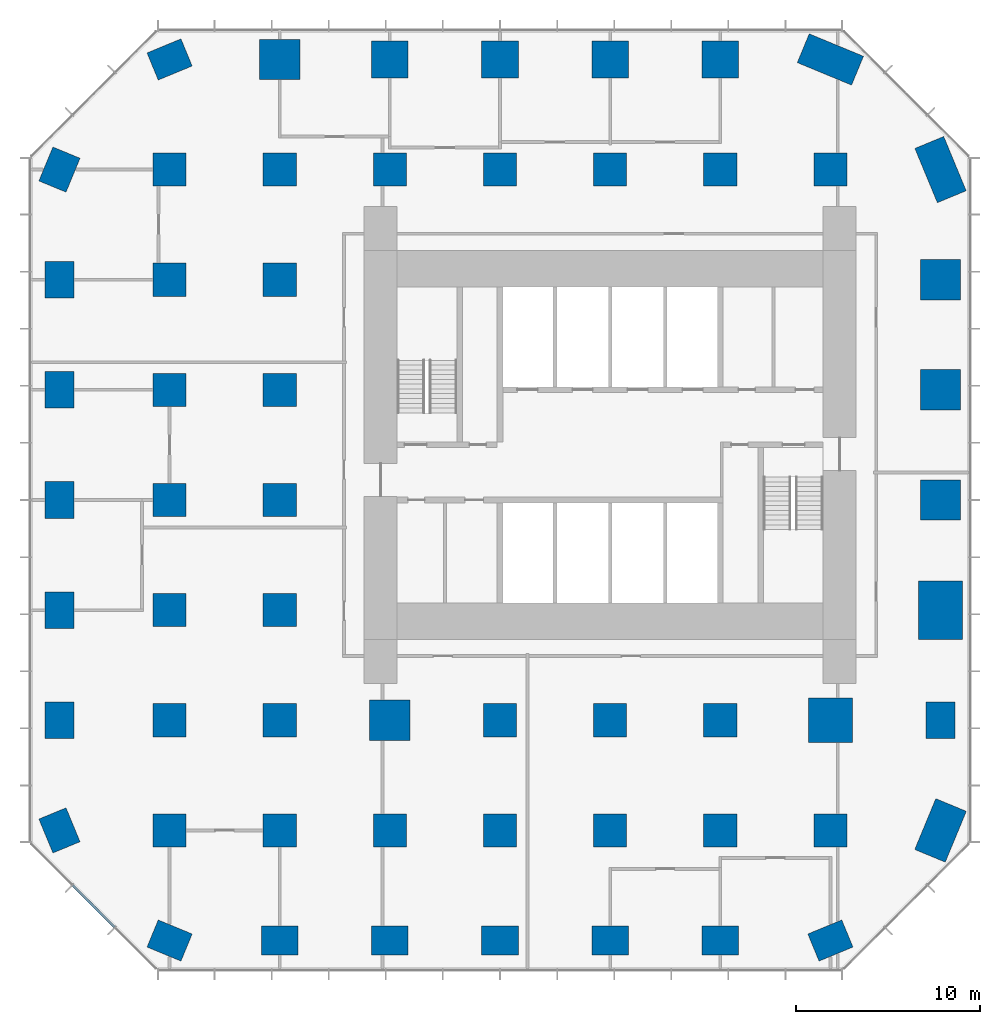
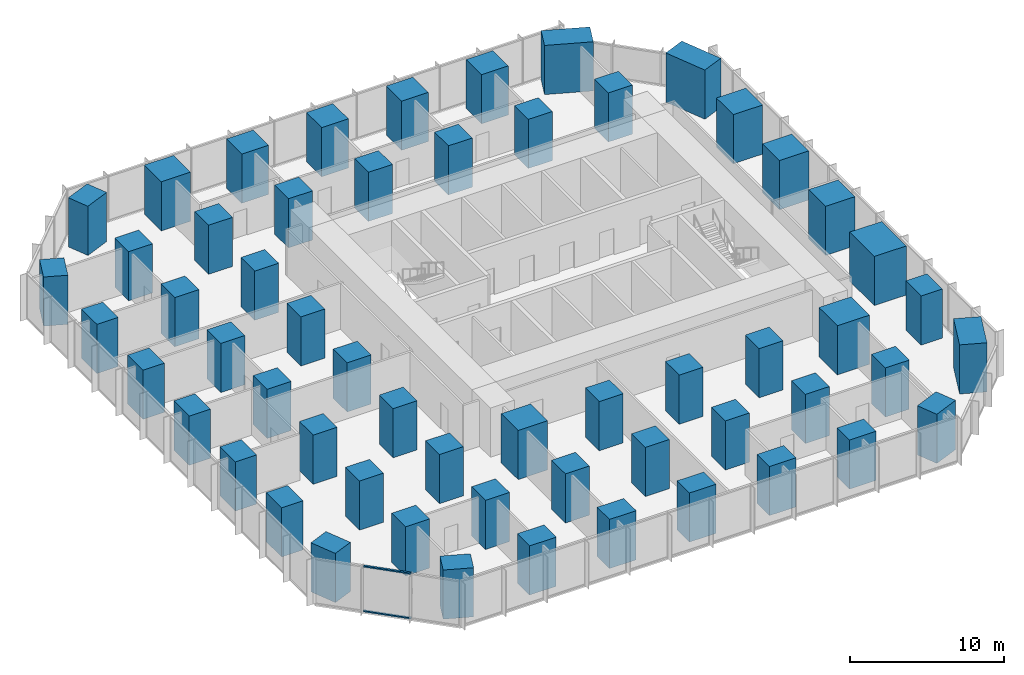
# One storey, part 1 of 12: 57 columns, 2 members, 1 element without a shape of its own.
"""IFC4 building model written with IfcOpenShell, lengths in metres."""

from ifc_helpers import new_model, si_unit, direction, frame, origin, origin_2d, place, context, subcontext, project, spatial, rectangle, extrude, material, layer, layer_set, material_profile, profile_set, type_object, element, aggregate, save


model = new_model("IFC4")

# Units and contexts
model_context = context("Model", 3, precision=1e-05, world=origin(), true_north=direction((0.0, 1.0)))
body_context = subcontext(model_context, "Body", "Model", "MODEL_VIEW")
ifc_project = project(units=[si_unit("LENGTHUNIT", "METRE"), si_unit("AREAUNIT", "SQUARE_METRE"), si_unit("VOLUMEUNIT", "CUBIC_METRE"), si_unit("PLANEANGLEUNIT", "RADIAN"), si_unit("MASSUNIT", "GRAM", prefix="KILO")], contexts=[model_context])

# Site, building, storey
site_placement = place(None, origin())
site = spatial("IfcSite", under=ifc_project, at=site_placement, CompositionType="ELEMENT")
building_placement = place(site_placement, origin())
building = spatial("IfcBuilding", under=site, at=building_placement, Name="Highveld Stack Headquarters", CompositionType="ELEMENT")
storey_placement = place(building_placement, frame((0.0, 0.0, 37.699951171875)))
storey = spatial("IfcBuildingStorey", under=building, at=storey_placement, Name="L08", CompositionType="ELEMENT", Elevation=37.699951171875)

# Columns
ifc_material_1 = material(Name="Concrete C60/75", Category="concrete")
ifc_material_profile_1 = material_profile(ifc_material_1, rectangle(XDim=1.800048828125, YDim=1.800048828125, at=origin_2d()), Name="RC 1800x1800")
ifc_profile_set_1 = profile_set([ifc_material_profile_1], Name="Concrete C60/75")
column_type_1 = type_object("IfcColumnType", Name="COLUMN RC 1800x1800 C60/75", PredefinedType="COLUMN", material=ifc_profile_set_1)
for number, where, z_axis, x_axis, name in (
    (1, (-18.0, -18.0, 0.0), (0.0, 0.0, 1.0), (1.0, 0.0, 0.0), "Column 3/B L08"),
    (2, (-18.0, -12.0, 0.0), (0.0, 0.0, 1.0), (1.0, 0.0, 0.0), "Column 3/C L08"),
    (3, (-18.0, -6.0, 0.0), (0.0, 0.0, 1.0), (1.0, 0.0, 0.0), "Column 3/D L08"),
    (4, (-18.0, 0.0, 0.0), (0.0, 0.0, 1.0), (1.0, 0.0, 0.0), "Column 3/E L08"),
    (5, (-18.0, 6.0, 0.0), (0.0, 0.0, 1.0), (1.0, 0.0, 0.0), "Column 3/F L08"),
    (6, (-18.0, 12.0, 0.0), (0.0, 0.0, 1.0), (1.0, 0.0, 0.0), "Column 3/G L08"),
    (7, (-18.0, 18.0, 0.0), (0.0, 0.0, 1.0), (1.0, 0.0, 0.0), "Column 3/H L08"),
    (8, (-12.0, -18.0, 0.0), (0.0, 0.0, 1.0), (1.0, 0.0, 0.0), "Column 4/B L08"),
    (9, (-12.0, -12.0, 0.0), (0.0, 0.0, 1.0), (1.0, 0.0, 0.0), "Column 4/C L08"),
    (10, (-12.0, -6.0, 0.0), (0.0, 0.0, 1.0), (1.0, 0.0, 0.0), "Column 4/D L08"),
    (11, (-12.0, 0.0, 0.0), (0.0, 0.0, 1.0), (1.0, 0.0, 0.0), "Column 4/E L08"),
    (12, (-12.0, 6.0, 0.0), (0.0, 0.0, 1.0), (1.0, 0.0, 0.0), "Column 4/F L08"),
    (13, (-12.0, 12.0, 0.0), (0.0, 0.0, 1.0), (1.0, 0.0, 0.0), "Column 4/G L08"),
    (14, (-12.0, 18.0, 0.0), (0.0, 0.0, 1.0), (1.0, 0.0, 0.0), "Column 4/H L08"),
    (15, (-6.0, -18.0, 0.0), (0.0, 0.0, 1.0), (1.0, 0.0, 0.0), "Column 5/B L08"),
    (16, (-6.0, 18.0, 0.0), (0.0, 0.0, 1.0), (1.0, 0.0, 0.0), "Column 5/H L08"),
    (17, (0.0, -18.0, 0.0), (0.0, 0.0, 1.0), (1.0, 0.0, 0.0), "Column 6/B L08"),
    (18, (0.0, -12.0, 0.0), (0.0, 0.0, 1.0), (1.0, 0.0, 0.0), "Column 6/C L08"),
    (19, (0.0, 18.0, 0.0), (0.0, 0.0, 1.0), (1.0, 0.0, 0.0), "Column 6/H L08"),
    (20, (6.0, -18.0, 0.0), (0.0, 0.0, 1.0), (1.0, 0.0, 0.0), "Column 7/B L08"),
    (21, (6.0, -12.0, 0.0), (0.0, 0.0, 1.0), (1.0, 0.0, 0.0), "Column 7/C L08"),
    (22, (6.0, 18.0, 0.0), (0.0, 0.0, 1.0), (1.0, 0.0, 0.0), "Column 7/H L08"),
    (23, (12.0, -18.0, 0.0), (0.0, 0.0, 1.0), (1.0, 0.0, 0.0), "Column 8/B L08"),
    (24, (12.0, -12.0, 0.0), (0.0, 0.0, 1.0), (1.0, 0.0, 0.0), "Column 8/C L08"),
    (25, (12.0, 18.0, 0.0), (0.0, 0.0, 1.0), (1.0, 0.0, 0.0), "Column 8/H L08"),
    (26, (18.0, -18.0, 0.0), (0.0, 0.0, 1.0), (1.0, 0.0, 0.0), "Column 9/B L08"),
    (27, (18.0, 18.0, 0.0), (0.0, 0.0, 1.0), (1.0, 0.0, 0.0), "Column 9/H L08"),
):
    element("IfcColumn", number, at=place(storey_placement, frame(where, z_axis=z_axis, x_axis=x_axis)), inside=storey, type_object=column_type_1, Name=name, PredefinedType="COLUMN", context=body_context, shape_type="SweptSolid", body=[
        extrude(rectangle(XDim=1.800048828125, YDim=1.800048828125, at=origin_2d()), origin(), (0.0, 0.0, 1.0), 3.900146484375),
    ])
ifc_material_2 = material(Name="Concrete C60/75", Category="concrete")
ifc_material_profile_2 = material_profile(ifc_material_2, rectangle(XDim=2.0, YDim=1.60009765625, at=origin_2d()), Name="RC 2000x1600")
ifc_profile_set_2 = profile_set([ifc_material_profile_2], Name="Concrete C60/75")
column_type_2 = type_object("IfcColumnType", Name="COLUMN RC 2000x1600 C60/75", PredefinedType="COLUMN", material=ifc_profile_set_2)
for number, where, z_axis, x_axis, name in (
    (28, (-24.0, -18.0, 0.0), (0.0, 0.0, 1.0), (-0.382683432365, 0.923879532511, 0.0), "Column 2/B L08"),
    (29, (-24.0, -12.0, 0.0), (0.0, 0.0, 1.0), (0.0, 1.0, 0.0), "Column 2/C L08"),
    (30, (-24.0, -6.0, 0.0), (0.0, 0.0, 1.0), (0.0, 1.0, 0.0), "Column 2/D L08"),
    (31, (-24.0, 0.0, 0.0), (0.0, 0.0, 1.0), (0.0, 1.0, 0.0), "Column 2/E L08"),
    (32, (-24.0, 6.0, 0.0), (0.0, 0.0, 1.0), (0.0, 1.0, 0.0), "Column 2/F L08"),
    (33, (-24.0, 12.0, 0.0), (0.0, 0.0, 1.0), (0.0, 1.0, 0.0), "Column 2/G L08"),
    (34, (-24.0, 18.0, 0.0), (0.0, 0.0, 1.0), (0.382683432365, 0.923879532511, 0.0), "Column 2/H L08"),
    (35, (-18.0, -24.0, 0.0), (0.0, 0.0, 1.0), (-0.923879532511, 0.382683432365, 0.0), "Column 3/A L08"),
    (36, (-18.0, 24.0, 0.0), (0.0, 0.0, 1.0), (0.923879532511, 0.382683432365, 0.0), "Column 3/J L08"),
    (37, (-12.0, -24.0, 0.0), (0.0, 0.0, 1.0), (1.0, 0.0, 0.0), "Column 4/A L08"),
    (38, (-6.0, -24.0, 0.0), (0.0, 0.0, 1.0), (1.0, 0.0, 0.0), "Column 5/A L08"),
    (39, (0.0, -24.0, 0.0), (0.0, 0.0, 1.0), (1.0, 0.0, 0.0), "Column 6/A L08"),
    (40, (6.0, -24.0, 0.0), (0.0, 0.0, 1.0), (1.0, 0.0, 0.0), "Column 7/A L08"),
    (41, (12.0, -24.0, 0.0), (0.0, 0.0, 1.0), (1.0, 0.0, 0.0), "Column 8/A L08"),
    (42, (18.0, -24.0, 0.0), (0.0, 0.0, 1.0), (-0.923879532511, -0.382683432365, 0.0), "Column 9/A L08"),
    (43, (24.0, -12.0, 0.0), (0.0, 0.0, 1.0), (0.0, 1.0, 0.0), "Column 10/C L08"),
):
    element("IfcColumn", number, at=place(storey_placement, frame(where, z_axis=z_axis, x_axis=x_axis)), inside=storey, type_object=column_type_2, Name=name, PredefinedType="COLUMN", context=body_context, shape_type="SweptSolid", body=[
        extrude(rectangle(XDim=2.0, YDim=1.60009765625, at=origin_2d()), origin(), (0.0, 0.0, 1.0), 3.900146484375),
    ])
ifc_material_3 = material(Name="Concrete C60/75", Category="concrete")
ifc_material_profile_3 = material_profile(ifc_material_3, rectangle(XDim=2.0, YDim=2.0, at=origin_2d()), Name="RC 2000x2000")
ifc_profile_set_3 = profile_set([ifc_material_profile_3], Name="Concrete C60/75")
column_type_3 = type_object("IfcColumnType", Name="COLUMN RC 2000x2000 C60/75", PredefinedType="COLUMN", material=ifc_profile_set_3)
for number, where, z_axis, x_axis, name in (
    (44, (-6.0, 24.0, 0.0), (0.0, 0.0, 1.0), (1.0, 0.0, 0.0), "Column 5/J L08"),
    (45, (0.0, 24.0, 0.0), (0.0, 0.0, 1.0), (1.0, 0.0, 0.0), "Column 6/J L08"),
    (46, (6.0, 24.0, 0.0), (0.0, 0.0, 1.0), (1.0, 0.0, 0.0), "Column 7/J L08"),
    (47, (12.0, 24.0, 0.0), (0.0, 0.0, 1.0), (1.0, 0.0, 0.0), "Column 8/J L08"),
):
    element("IfcColumn", number, at=place(storey_placement, frame(where, z_axis=z_axis, x_axis=x_axis)), inside=storey, type_object=column_type_3, Name=name, PredefinedType="COLUMN", context=body_context, shape_type="SweptSolid", body=[
        extrude(rectangle(XDim=2.0, YDim=2.0, at=origin_2d()), origin(), (0.0, 0.0, 1.0), 3.900146484375),
    ])
ifc_material_4 = material(Name="Concrete C60/75", Category="concrete")
ifc_material_profile_4 = material_profile(ifc_material_4, rectangle(XDim=2.199951171875, YDim=2.199951171875, at=origin_2d()), Name="RC 2200x2200")
ifc_profile_set_4 = profile_set([ifc_material_profile_4], Name="Concrete C60/75")
column_type_4 = type_object("IfcColumnType", Name="COLUMN RC 2200x2200 C60/75", PredefinedType="COLUMN", material=ifc_profile_set_4)
for number, where, z_axis, x_axis, name in (
    (48, (-12.0, 24.0, 0.0), (0.0, 0.0, 1.0), (1.0, 0.0, 0.0), "Column 4/J L08"),
    (49, (-6.0, -12.0, 0.0), (0.0, 0.0, 1.0), (1.0, 0.0, 0.0), "Column 5/C L08"),
    (50, (24.0, 0.0, 0.0), (0.0, 0.0, 1.0), (1.0, 0.0, 0.0), "Column 10/E L08"),
    (51, (24.0, 6.0, 0.0), (0.0, 0.0, 1.0), (1.0, 0.0, 0.0), "Column 10/F L08"),
    (52, (24.0, 12.0, 0.0), (0.0, 0.0, 1.0), (1.0, 0.0, 0.0), "Column 10/G L08"),
):
    element("IfcColumn", number, at=place(storey_placement, frame(where, z_axis=z_axis, x_axis=x_axis)), inside=storey, type_object=column_type_4, Name=name, PredefinedType="COLUMN", context=body_context, shape_type="SweptSolid", body=[
        extrude(rectangle(XDim=2.199951171875, YDim=2.199951171875, at=origin_2d()), origin(), (0.0, 0.0, 1.0), 3.900146484375),
    ])
ifc_material_5 = material(Name="Concrete C60/75", Category="concrete")
ifc_material_profile_5 = material_profile(ifc_material_5, rectangle(XDim=2.39990234375, YDim=2.39990234375, at=origin_2d()), Name="RC 2400x2400")
ifc_profile_set_5 = profile_set([ifc_material_profile_5], Name="Concrete C60/75")
column_type_5 = type_object("IfcColumnType", Name="COLUMN RC 2400x2400 C60/75", PredefinedType="COLUMN", material=ifc_profile_set_5)
column_1_placement = place(storey_placement, frame((18.0, -12.0, 0.0), z_axis=(0.0, 0.0, 1.0), x_axis=(1.0, 0.0, 0.0)))
element("IfcColumn", 53, at=column_1_placement, inside=storey, type_object=column_type_5, Name="Column 9/C L08", PredefinedType="COLUMN", context=body_context, shape_type="SweptSolid", body=[
    extrude(rectangle(XDim=2.39990234375, YDim=2.39990234375, at=origin_2d()), origin(), (0.0, 0.0, 1.0), 3.900146484375),
])
ifc_material_6 = material(Name="Concrete C60/75", Category="concrete")
ifc_material_profile_6 = material_profile(ifc_material_6, rectangle(XDim=3.0, YDim=1.800048828125, at=origin_2d()), Name="RC 3000x1800")
ifc_profile_set_6 = profile_set([ifc_material_profile_6], Name="Concrete C60/75")
column_type_6 = type_object("IfcColumnType", Name="COLUMN RC 3000x1800 C60/75", PredefinedType="COLUMN", material=ifc_profile_set_6)
column_2_placement = place(storey_placement, frame((24.0, -18.0, 0.0), z_axis=(0.0, 0.0, 1.0), x_axis=(-0.382683432365, -0.923879532511, 0.0)))
element("IfcColumn", 54, at=column_2_placement, inside=storey, type_object=column_type_6, Name="Column 10/B L08", PredefinedType="COLUMN", context=body_context, shape_type="SweptSolid", body=[
    extrude(rectangle(XDim=3.0, YDim=1.800048828125, at=origin_2d()), origin(), (0.0, 0.0, 1.0), 3.900146484375),
])
ifc_material_7 = material(Name="Concrete C60/75", Category="concrete")
ifc_material_profile_7 = material_profile(ifc_material_7, rectangle(XDim=3.199951171875, YDim=1.699951171875, at=origin_2d()), Name="RC 3200x1700")
ifc_profile_set_7 = profile_set([ifc_material_profile_7], Name="Concrete C60/75")
column_type_7 = type_object("IfcColumnType", Name="COLUMN RC 3200x1700 C60/75", PredefinedType="COLUMN", material=ifc_profile_set_7)
for number, where, z_axis, x_axis, name in (
    (55, (18.0, 24.0, 0.0), (0.0, 0.0, 1.0), (0.923879532511, -0.382683432365, 0.0), "Column 9/J L08"),
    (56, (24.0, 18.0, 0.0), (0.0, 0.0, 1.0), (0.382683432365, -0.923879532511, 0.0), "Column 10/H L08"),
):
    element("IfcColumn", number, at=place(storey_placement, frame(where, z_axis=z_axis, x_axis=x_axis)), inside=storey, type_object=column_type_7, Name=name, PredefinedType="COLUMN", context=body_context, shape_type="SweptSolid", body=[
        extrude(rectangle(XDim=3.199951171875, YDim=1.699951171875, at=origin_2d()), origin(), (0.0, 0.0, 1.0), 3.900146484375),
    ])
ifc_material_8 = material(Name="Concrete C60/75", Category="concrete")
ifc_material_profile_8 = material_profile(ifc_material_8, rectangle(XDim=3.199951171875, YDim=2.39990234375, at=origin_2d()), Name="RC 3200x2400")
ifc_profile_set_8 = profile_set([ifc_material_profile_8], Name="Concrete C60/75")
column_type_8 = type_object("IfcColumnType", Name="COLUMN RC 3200x2400 C60/75", PredefinedType="COLUMN", material=ifc_profile_set_8)
column_3_placement = place(storey_placement, frame((24.0, -6.0, 0.0), z_axis=(0.0, 0.0, 1.0), x_axis=(0.0, 1.0, 0.0)))
element("IfcColumn", 57, at=column_3_placement, inside=storey, type_object=column_type_8, Name="Column 10/D L08", PredefinedType="COLUMN", context=body_context, shape_type="SweptSolid", body=[
    extrude(rectangle(XDim=3.199951171875, YDim=2.39990234375, at=origin_2d()), origin(), (0.0, 0.0, 1.0), 3.900146484375),
])

# Curtain wall, members
ifc_material_9 = material(Name="Aluminium bronze anodised", Category="aluminium")
ifc_layer = layer(ifc_material_9, 0.199951171875)
ifc_layer_set = layer_set([ifc_layer], Name="Aluminium bronze anodised")
curtain_wall_type = type_object("IfcCurtainWallType", Name="CW2 TOWER CHAMFER UNITISED CURTAIN WALL", PredefinedType="NOTDEFINED", material=ifc_layer_set)
curtain_wall_placement = place(storey_placement, origin())
curtain_wall = element("IfcCurtainWall", 58, at=curtain_wall_placement, inside=storey, type_object=curtain_wall_type, Name="Curtain wall CW2 L08 SW", PredefinedType="NOTDEFINED")
ifc_material_10 = material(Name="Aluminium bronze anodised", Category="aluminium")
ifc_material_profile_9 = material_profile(ifc_material_10, rectangle(XDim=0.14990234375, YDim=0.10009765625, at=origin_2d()), Name="CW2 TRANSOM 150x100")
ifc_profile_set_9 = profile_set([ifc_material_profile_9], Name="Aluminium bronze anodised")
member_type = type_object("IfcMemberType", Name="CW2 STACK TRANSOM 150x100", PredefinedType="USERDEFINED", material=ifc_profile_set_9)
member_1_placement = place(storey_placement, frame((-23.2646484375, -20.998046875, 0.050048828125), z_axis=(0.707106781187, -0.707106781187, 0.0), x_axis=(0.707106781187, 0.707106781187, 0.0)))
member_1 = element("IfcMember", 59, at=member_1_placement, type_object=member_type, Name="CW2 transom L08 2.1", ObjectType="TRANSOM", PredefinedType="USERDEFINED", context=body_context, shape_type="SweptSolid", body=[
    extrude(rectangle(XDim=0.14990234375, YDim=0.10009765625, at=origin_2d()), origin(), (0.0, 0.0, 1.0), 3.20556640625),
])
member_2_placement = place(storey_placement, frame((-23.2646484375, -20.998046875, 3.60009765625), z_axis=(0.707106781187, -0.707106781187, 0.0), x_axis=(0.707106781187, 0.707106781187, 0.0)))
member_2 = element("IfcMember", 60, at=member_2_placement, type_object=member_type, Name="CW2 transom L08 2.2", ObjectType="TRANSOM", PredefinedType="USERDEFINED", context=body_context, shape_type="SweptSolid", body=[
    extrude(rectangle(XDim=0.14990234375, YDim=0.10009765625, at=origin_2d()), origin(), (0.0, 0.0, 1.0), 3.20556640625),
])
aggregate(curtain_wall, [member_1, member_2])

save(model, "model.ifc")
